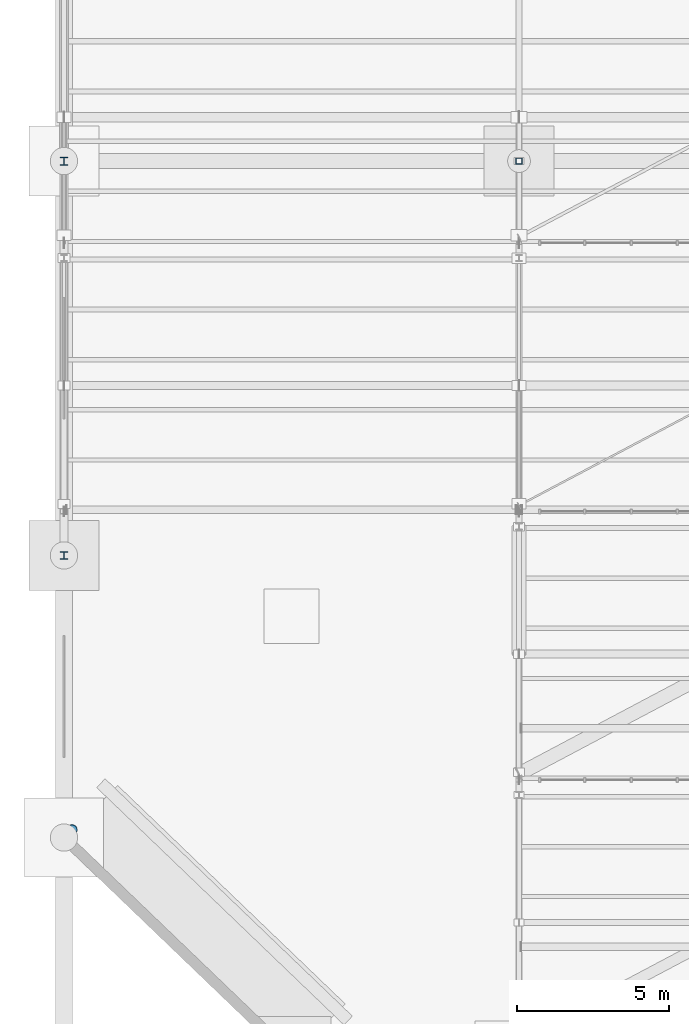
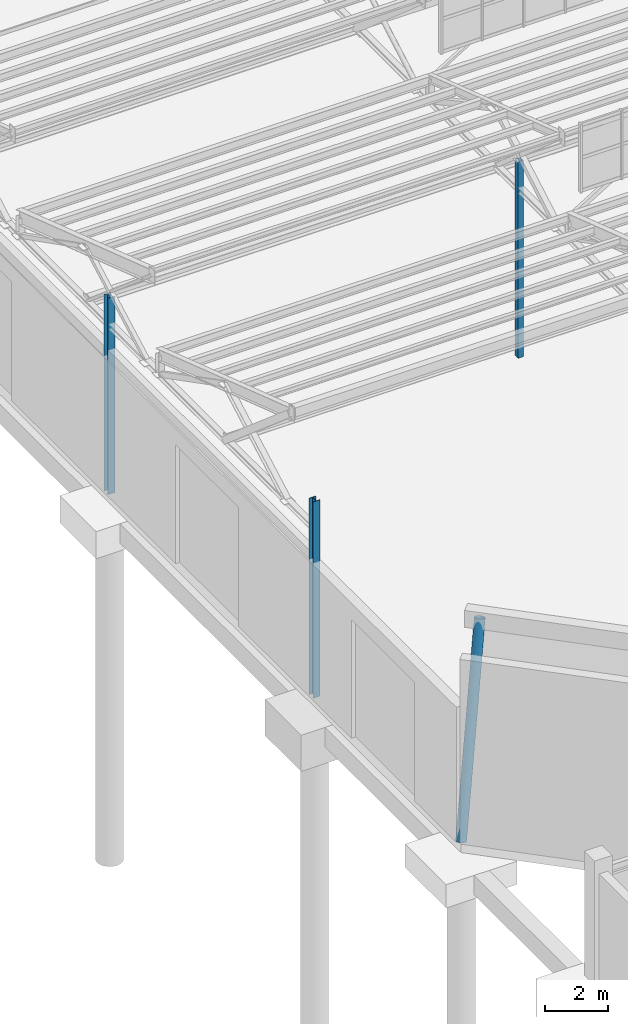
# One storey, part 18 of 285: 4 columns.
"""IFC4 building model written with IfcOpenShell, lengths in metres."""

from ifc_helpers import new_model, si_unit, direction, frame, origin, origin_2d, place, context, subcontext, project, spatial, hollow_rectangle, hollow_circle, i_section, extrude, material, material_profile, profile_set, type_object, element, save


model = new_model("IFC4")

# Units and contexts
model_context = context("Model", 3, precision=1e-05, world=origin(), true_north=direction((0.0, 1.0)))
body_context = subcontext(model_context, "Body", "Model", "MODEL_VIEW")
ifc_project = project(units=[si_unit("LENGTHUNIT", "METRE"), si_unit("AREAUNIT", "SQUARE_METRE"), si_unit("VOLUMEUNIT", "CUBIC_METRE"), si_unit("PLANEANGLEUNIT", "RADIAN"), si_unit("MASSUNIT", "GRAM", prefix="KILO")], contexts=[model_context])

# Site, building, storey
site_placement = place(None, origin())
site = spatial("IfcSite", under=ifc_project, at=site_placement, CompositionType="ELEMENT")
building_placement = place(site_placement, origin())
building = spatial("IfcBuilding", under=site, at=building_placement, Name="Solanera Park Tramway Depot", CompositionType="ELEMENT")
storey_placement = place(building_placement, origin())
storey = spatial("IfcBuildingStorey", under=building, at=storey_placement, Name="L00", CompositionType="ELEMENT", Elevation=0.0)

# Columns
ifc_material_1 = material(Name="Steel AS/NZS 3679.1 Grade 350", Category="steel")
ifc_material_profile_1 = material_profile(ifc_material_1, i_section(OverallWidth=0.25390625, OverallDepth=0.25390625, WebThickness=0.008544921875, FlangeThickness=0.01416015625, at=origin_2d()), Name="250UC72.9")
ifc_profile_set_1 = profile_set([ifc_material_profile_1], Name="Steel AS/NZS 3679.1 Grade 350")
column_type_1 = type_object("IfcColumnType", Name="Steel Column Ext 250UC72.9", PredefinedType="COLUMN", material=ifc_profile_set_1)
column_1_placement = place(storey_placement, frame((0.0, 72.0, 0.0), z_axis=(0.0, 0.0, 1.0), x_axis=(1.0, 0.0, 0.0)))
element("IfcColumn", 1, at=column_1_placement, inside=storey, type_object=column_type_1, Name="L00 Column V1S-X0-Y720", PredefinedType="COLUMN", context=body_context, shape_type="SweptSolid", body=[
    extrude(i_section(OverallWidth=0.25390625, OverallDepth=0.25390625, WebThickness=0.008544921875, FlangeThickness=0.01416015625, at=origin_2d()), origin(), (0.0, 0.0, 1.0), 7.60009765625),
])
ifc_material_2 = material(Name="Steel AS/NZS 3679.1 Grade 350", Category="steel")
ifc_material_profile_2 = material_profile(ifc_material_2, i_section(OverallWidth=0.255615234375, OverallDepth=0.260009765625, WebThickness=0.010498046875, FlangeThickness=0.017333984375, at=origin_2d()), Name="250UC89.5")
ifc_profile_set_2 = profile_set([ifc_material_profile_2], Name="Steel AS/NZS 3679.1 Grade 350")
column_type_2 = type_object("IfcColumnType", Name="Steel Column Ext 250UC89.5", PredefinedType="COLUMN", material=ifc_profile_set_2)
column_2_placement = place(storey_placement, frame((0.0, 85.0, 0.0), z_axis=(0.0, 0.0, 1.0), x_axis=(1.0, 0.0, 0.0)))
element("IfcColumn", 2, at=column_2_placement, inside=storey, type_object=column_type_2, Name="L00 Column V1-X0-Y850", PredefinedType="COLUMN", context=body_context, shape_type="SweptSolid", body=[
    extrude(i_section(OverallWidth=0.255615234375, OverallDepth=0.260009765625, WebThickness=0.010498046875, FlangeThickness=0.017333984375, at=origin_2d()), origin(), (0.0, 0.0, 1.0), 7.60009765625),
])
ifc_material_3 = material(Name="Steel AS/NZS 1163 Grade C350L0", Category="steel")
ifc_material_profile_3 = material_profile(ifc_material_3, hollow_circle(Radius=0.177734375, WallThickness=0.0126953125, at=origin_2d()), Name="355.6x12.7 CHS")
ifc_profile_set_3 = profile_set([ifc_material_profile_3], Name="Steel AS/NZS 1163 Grade C350L0")
column_type_3 = type_object("IfcColumnType", Name="Steel Column Ext 355.6x12.7 CHS", PredefinedType="COLUMN", material=ifc_profile_set_3)
column_3_placement = place(storey_placement, frame((0.0, 62.699951171875, 0.0), z_axis=(0.204776827534, 0.196833457878, 0.958813350327), x_axis=(-0.692985522291, 0.720951500377, 0.0)))
element("IfcColumn", 3, at=column_3_placement, inside=storey, type_object=column_type_3, Name="V1 Carved Corner Raked Column SW-2", PredefinedType="COLUMN", context=body_context, shape_type="SweptSolid", body=[
    extrude(hollow_circle(Radius=0.177734375, WallThickness=0.0126953125, at=origin_2d()), origin(), (0.0, 0.0, 1.0), 7.530029296875),
])
ifc_material_4 = material(Name="Steel AS/NZS 1163 Grade C350L0", Category="steel")
ifc_material_profile_4 = material_profile(ifc_material_4, hollow_rectangle(XDim=0.199951171875, YDim=0.199951171875, WallThickness=0.008056640625, at=origin_2d()), Name="200x200x8.0 SHS")
ifc_profile_set_4 = profile_set([ifc_material_profile_4], Name="Steel AS/NZS 1163 Grade C350L0")
column_type_4 = type_object("IfcColumnType", Name="Steel Column Int 200x200x8.0 SHS", PredefinedType="COLUMN", material=ifc_profile_set_4)
column_4_placement = place(storey_placement, frame((15.0, 85.0, 0.0), z_axis=(0.0, 0.0, 1.0), x_axis=(1.0, 0.0, 0.0)))
element("IfcColumn", 4, at=column_4_placement, inside=storey, type_object=column_type_4, Name="L00 Column V1-X150-Y850", PredefinedType="COLUMN", context=body_context, shape_type="SweptSolid", body=[
    extrude(hollow_rectangle(XDim=0.199951171875, YDim=0.199951171875, WallThickness=0.008056640625, at=origin_2d()), origin(), (0.0, 0.0, 1.0), 7.60009765625),
])

save(model, "model.ifc")
